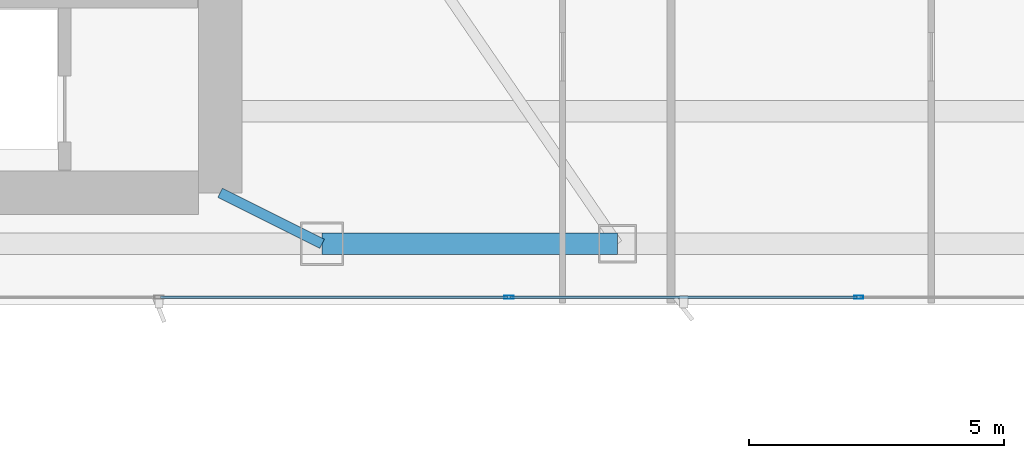
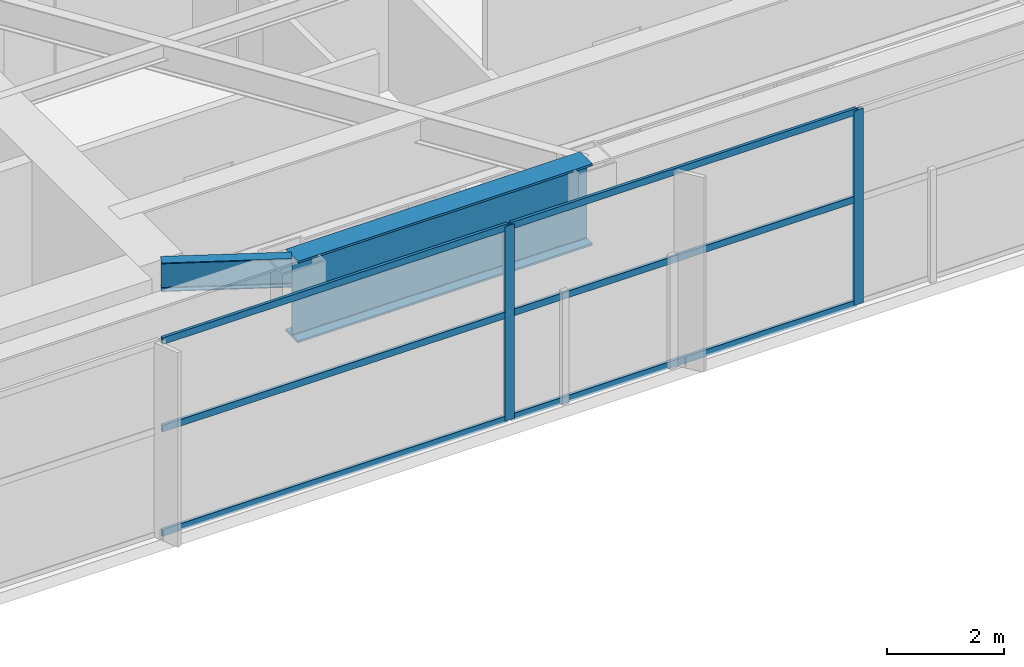
# One storey, part 13 of 30: 8 members, 2 beams, 1 element without a shape of its own.
"""IFC4 building model written with IfcOpenShell, lengths in metres."""

from ifc_helpers import new_model, si_unit, direction, frame, origin, origin_2d, place, context, subcontext, project, spatial, hollow_rectangle, i_section, extrude, material, layer, layer_set, material_profile, profile_set, type_object, element, aggregate, save


model = new_model("IFC4")

# Units and contexts
model_context = context("Model", 3, precision=1e-05, world=origin(), true_north=direction((0.0, 1.0)))
body_context = subcontext(model_context, "Body", "Model", "MODEL_VIEW")
ifc_project = project(units=[si_unit("LENGTHUNIT", "METRE"), si_unit("AREAUNIT", "SQUARE_METRE"), si_unit("VOLUMEUNIT", "CUBIC_METRE"), si_unit("PLANEANGLEUNIT", "RADIAN"), si_unit("MASSUNIT", "GRAM", prefix="KILO")], contexts=[model_context])

# Site, building, storey
site_placement = place(None, origin())
site = spatial("IfcSite", under=ifc_project, at=site_placement, CompositionType="ELEMENT")
building_placement = place(site_placement, origin())
building = spatial("IfcBuilding", under=site, at=building_placement, Name="Calvorn Quay Hotel", CompositionType="ELEMENT")
storey_placement = place(building_placement, frame((0.0, 0.0, 195.10009765625)))
storey = spatial("IfcBuildingStorey", under=building, at=storey_placement, Name="L48", CompositionType="ELEMENT", Elevation=195.10009765625)

# Beams
ifc_material_1 = material(Name="Steel Q355B", Category="steel")
ifc_material_profile_1 = material_profile(ifc_material_1, i_section(OverallWidth=0.199951171875, OverallDepth=0.60009765625, WebThickness=0.010986328125, FlangeThickness=0.01708984375, FilletRadius=0.01806640625, at=origin_2d()), Name="HN600x200x11x17")
ifc_profile_set_1 = profile_set([ifc_material_profile_1], Name="Steel Q355B")
beam_type_1 = type_object("IfcBeamType", Name="BM-GIRD-TYP", PredefinedType="BEAM", material=ifc_profile_set_1)
beam_1_placement = place(storey_placement, frame((34.39990234375, 3.60009765625, 3.75), z_axis=(-0.894427191, 0.4472135955, 0.0), x_axis=(-0.4472135955, -0.894427191, 0.0)))
element("IfcBeam", 1, at=beam_1_placement, inside=storey, type_object=beam_type_1, Name="Beam BG-L48-S3", PredefinedType="BEAM", context=body_context, shape_type="SweptSolid", body=[
    extrude(i_section(OverallWidth=0.199951171875, OverallDepth=0.60009765625, WebThickness=0.010986328125, FlangeThickness=0.01708984375, FilletRadius=0.01806640625, at=origin_2d()), origin(), (0.0, 0.0, 1.0), 2.236083984375),
])
ifc_material_2 = material(Name="Steel Q420GJC", Category="steel")
ifc_material_profile_2 = material_profile(ifc_material_2, i_section(OverallWidth=0.419921875, OverallDepth=1.699951171875, WebThickness=0.02392578125, FlangeThickness=0.0419921875, FilletRadius=0.02392578125, at=origin_2d()), Name="HN1700x420x24x42")
ifc_profile_set_2 = profile_set([ifc_material_profile_2], Name="Steel Q420GJC")
beam_type_2 = type_object("IfcBeamType", Name="BM-XFER-SAWTOOTH", PredefinedType="BEAM", material=ifc_profile_set_2)
beam_2_placement = place(storey_placement, frame((34.39990234375, 3.60009765625, 3.199951171875), z_axis=(1.0, 0.0, 0.0), x_axis=(0.0, 1.0, 0.0)))
element("IfcBeam", 2, at=beam_2_placement, inside=storey, type_object=beam_type_2, Name="Beam BSP-L48-S4", PredefinedType="BEAM", context=body_context, shape_type="SweptSolid", body=[
    extrude(i_section(OverallWidth=0.419921875, OverallDepth=1.699951171875, WebThickness=0.02392578125, FlangeThickness=0.0419921875, FilletRadius=0.02392578125, at=origin_2d()), origin(), (0.0, 0.0, 1.0), 5.800048828125),
])

# Curtain wall, members
ifc_material_3 = material(Name="Champagne Bronze Anodised Aluminium and Low-E Glass", Category="aluminium")
ifc_layer = layer(ifc_material_3, 0.219970703125)
ifc_layer_set = layer_set([ifc_layer], Name="CW-SYS-Z3")
curtain_wall_type = type_object("IfcCurtainWallType", Name="CW-SYS-Z3", PredefinedType="NOTDEFINED", material=ifc_layer_set)
curtain_wall_placement = place(storey_placement, origin())
curtain_wall = element("IfcCurtainWall", 3, at=curtain_wall_placement, inside=storey, type_object=curtain_wall_type, Name="Tower South Waterfront Curtain Wall (L48)", PredefinedType="NOTDEFINED")
ifc_material_4 = material(Name="Champagne Bronze Anodised Aluminium 6063-T6", Category="aluminium")
ifc_material_profile_3 = material_profile(ifc_material_4, hollow_rectangle(XDim=0.068115234375, YDim=0.18505859375, WallThickness=0.00390625, at=origin_2d()), Name="ALU-M185x68x4")
ifc_profile_set_3 = profile_set([ifc_material_profile_3], Name="Champagne Bronze Anodised Aluminium 6063-T6")
member_type_1 = type_object("IfcMemberType", Name="CW-SYS-Z3-MUL", PredefinedType="MULLION", material=ifc_profile_set_3)
member_1_placement = place(storey_placement, frame((38.066650390625, 2.550048828125, 0.0), z_axis=(0.0, 0.0, 1.0), x_axis=(0.0, 1.0, 0.0)))
member_1 = element("IfcMember", 4, at=member_1_placement, type_object=member_type_1, Name="CW-L48-S mullion 5", PredefinedType="MULLION", context=body_context, shape_type="SweptSolid", body=[
    extrude(hollow_rectangle(XDim=0.068115234375, YDim=0.18505859375, WallThickness=0.00390625, at=origin_2d()), origin(), (0.0, 0.0, 1.0), 4.0498046875),
])
member_2_placement = place(storey_placement, frame((44.933349609375, 2.550048828125, 0.0), z_axis=(0.0, 0.0, 1.0), x_axis=(0.0, 1.0, 0.0)))
member_2 = element("IfcMember", 5, at=member_2_placement, type_object=member_type_1, Name="CW-L48-S mullion 6", PredefinedType="MULLION", context=body_context, shape_type="SweptSolid", body=[
    extrude(hollow_rectangle(XDim=0.068115234375, YDim=0.18505859375, WallThickness=0.00390625, at=origin_2d()), origin(), (0.0, 0.0, 1.0), 4.0498046875),
])
ifc_material_5 = material(Name="Champagne Bronze Anodised Aluminium 6063-T6", Category="aluminium")
ifc_material_profile_4 = material_profile(ifc_material_5, hollow_rectangle(XDim=0.05810546875, YDim=0.139892578125, WallThickness=0.003173828125, at=origin_2d()), Name="ALU-T140x58x3.2")
ifc_profile_set_4 = profile_set([ifc_material_profile_4], Name="Champagne Bronze Anodised Aluminium 6063-T6")
member_type_2 = type_object("IfcMemberType", Name="CW-SYS-Z3-TRN", PredefinedType="USERDEFINED", material=ifc_profile_set_4)
member_3_placement = place(storey_placement, frame((31.22998046875, 2.550048828125, 0.02978515625), z_axis=(1.0, 0.0, 0.0), x_axis=(0.0, 1.0, 0.0)))
member_3 = element("IfcMember", 6, at=member_3_placement, type_object=member_type_2, Name="CW-L48-S transom 4.1", ObjectType="TRANSOM", PredefinedType="USERDEFINED", context=body_context, shape_type="SweptSolid", body=[
    extrude(hollow_rectangle(XDim=0.05810546875, YDim=0.139892578125, WallThickness=0.003173828125, at=origin_2d()), origin(), (0.0, 0.0, 1.0), 6.806640625),
])
member_4_placement = place(storey_placement, frame((31.22998046875, 2.550048828125, 2.199951171875), z_axis=(1.0, 0.0, 0.0), x_axis=(0.0, 1.0, 0.0)))
member_4 = element("IfcMember", 7, at=member_4_placement, type_object=member_type_2, Name="CW-L48-S transom 4.2", ObjectType="TRANSOM", PredefinedType="USERDEFINED", context=body_context, shape_type="SweptSolid", body=[
    extrude(hollow_rectangle(XDim=0.05810546875, YDim=0.139892578125, WallThickness=0.003173828125, at=origin_2d()), origin(), (0.0, 0.0, 1.0), 6.806640625),
])
member_5_placement = place(storey_placement, frame((31.22998046875, 2.550048828125, 4.02001953125), z_axis=(1.0, 0.0, 0.0), x_axis=(0.0, 1.0, 0.0)))
member_5 = element("IfcMember", 8, at=member_5_placement, type_object=member_type_2, Name="CW-L48-S transom 4.3", ObjectType="TRANSOM", PredefinedType="USERDEFINED", context=body_context, shape_type="SweptSolid", body=[
    extrude(hollow_rectangle(XDim=0.05810546875, YDim=0.139892578125, WallThickness=0.003173828125, at=origin_2d()), origin(), (0.0, 0.0, 1.0), 6.806640625),
])
member_6_placement = place(storey_placement, frame((38.0966796875, 2.550048828125, 0.02978515625), z_axis=(1.0, 0.0, 0.0), x_axis=(0.0, 1.0, 0.0)))
member_6 = element("IfcMember", 9, at=member_6_placement, type_object=member_type_2, Name="CW-L48-S transom 5.1", ObjectType="TRANSOM", PredefinedType="USERDEFINED", context=body_context, shape_type="SweptSolid", body=[
    extrude(hollow_rectangle(XDim=0.05810546875, YDim=0.139892578125, WallThickness=0.003173828125, at=origin_2d()), origin(), (0.0, 0.0, 1.0), 6.806640625),
])
member_7_placement = place(storey_placement, frame((38.0966796875, 2.550048828125, 2.199951171875), z_axis=(1.0, 0.0, 0.0), x_axis=(0.0, 1.0, 0.0)))
member_7 = element("IfcMember", 10, at=member_7_placement, type_object=member_type_2, Name="CW-L48-S transom 5.2", ObjectType="TRANSOM", PredefinedType="USERDEFINED", context=body_context, shape_type="SweptSolid", body=[
    extrude(hollow_rectangle(XDim=0.05810546875, YDim=0.139892578125, WallThickness=0.003173828125, at=origin_2d()), origin(), (0.0, 0.0, 1.0), 6.806640625),
])
member_8_placement = place(storey_placement, frame((38.0966796875, 2.550048828125, 4.02001953125), z_axis=(1.0, 0.0, 0.0), x_axis=(0.0, 1.0, 0.0)))
member_8 = element("IfcMember", 11, at=member_8_placement, type_object=member_type_2, Name="CW-L48-S transom 5.3", ObjectType="TRANSOM", PredefinedType="USERDEFINED", context=body_context, shape_type="SweptSolid", body=[
    extrude(hollow_rectangle(XDim=0.05810546875, YDim=0.139892578125, WallThickness=0.003173828125, at=origin_2d()), origin(), (0.0, 0.0, 1.0), 6.806640625),
])
aggregate(curtain_wall, [member_1, member_2, member_3, member_4, member_5, member_6, member_7, member_8])

save(model, "model.ifc")
